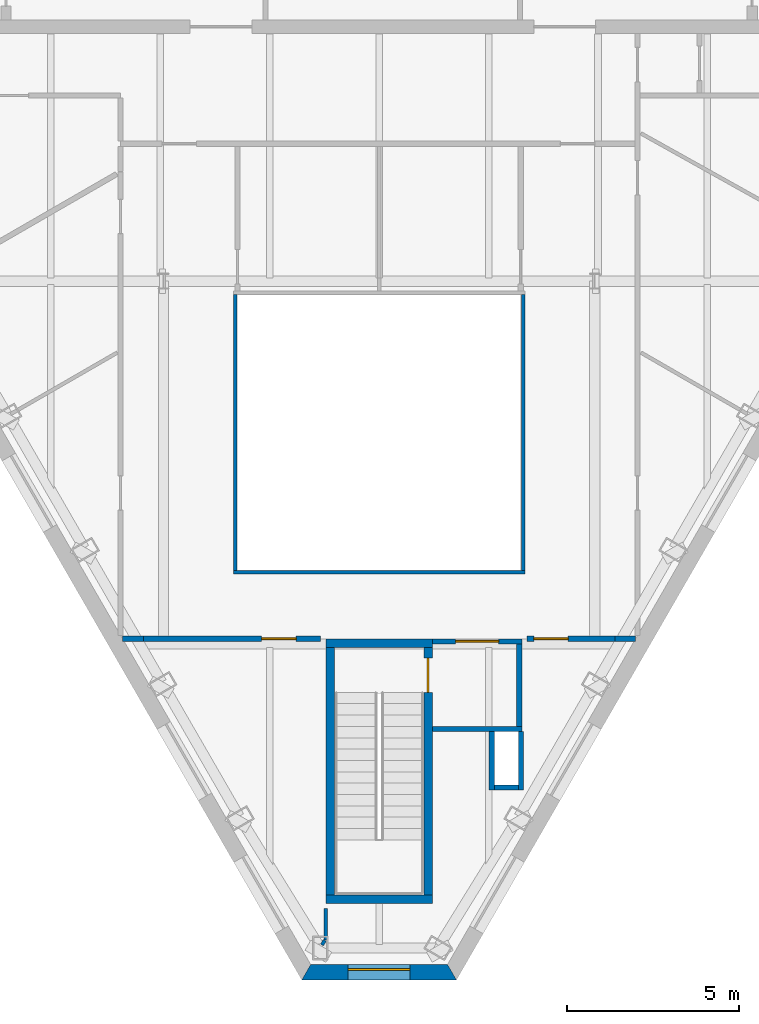
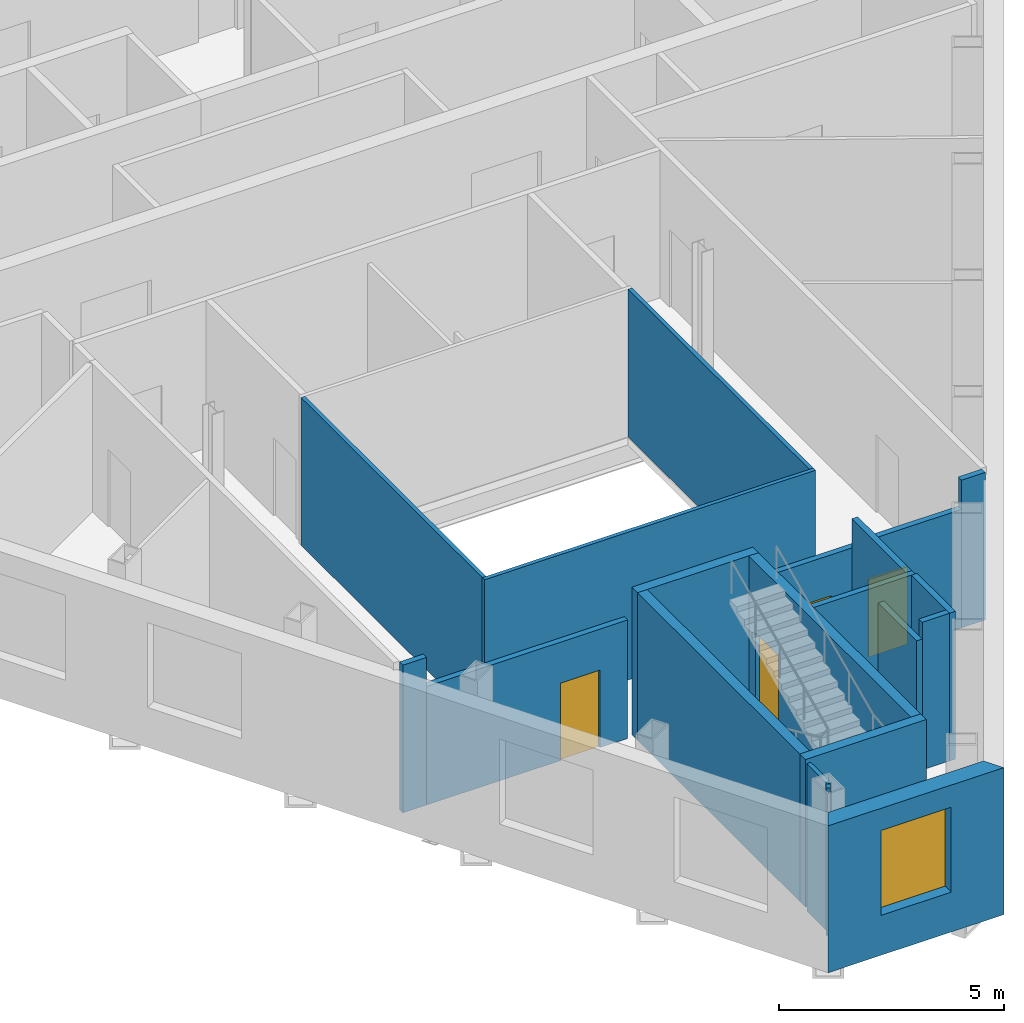
# One storey, part 4 of 11: 20 walls, 4 doors, 1 window, 5 openings.
"""IFC4 building model written with IfcOpenShell, lengths in metres."""

from ifc_helpers import new_model, si_unit, direction, frame, frame_2d, origin, place, context, subcontext, project, spatial, polyline, rectangle, outline, extrude, material, layer, layer_set, type_object, element, fill, save


model = new_model("IFC4")

# Units and contexts
model_context = context("Model", 3, precision=1e-05, world=origin(), true_north=direction((0.0, 1.0)))
body_context = subcontext(model_context, "Body", "Model", "MODEL_VIEW")
ifc_project = project(units=[si_unit("LENGTHUNIT", "METRE"), si_unit("AREAUNIT", "SQUARE_METRE"), si_unit("VOLUMEUNIT", "CUBIC_METRE"), si_unit("PLANEANGLEUNIT", "RADIAN"), si_unit("MASSUNIT", "GRAM", prefix="KILO")], contexts=[model_context])

# Site, building, storey
site_placement = place(None, origin())
site = spatial("IfcSite", under=ifc_project, at=site_placement, CompositionType="ELEMENT")
building_placement = place(site_placement, origin())
building = spatial("IfcBuilding", under=site, at=building_placement, Name="Njiva Tower", CompositionType="ELEMENT")
storey_placement = place(building_placement, frame((0.0, 0.0, 312.6)))
storey = spatial("IfcBuildingStorey", under=building, at=storey_placement, Name="L71", CompositionType="ELEMENT", Elevation=312.6)

# Walls
ifc_material_1 = material(Name="Gypsum board on steel studs", Category="gypsum")
ifc_layer_1 = layer(ifc_material_1, 0.1)
ifc_layer_set_1 = layer_set([ifc_layer_1], Name="Gypsum board on steel studs")
wall_type_1 = type_object("IfcWallType", Name="WT20 Gypsum partition 100", PredefinedType="PARTITIONING", material=ifc_layer_set_1)
wall_1_placement = place(storey_placement, frame((-1.661, -22.506, 0.0), z_axis=(0.0, 0.0, 1.0), x_axis=(0.501036270542, 0.865426285481, 0.0)))
element("IfcWall", 1, at=wall_1_placement, inside=storey, type_object=wall_type_1, Name="Partition S24-P015", PredefinedType="PARTITIONING", context=body_context, shape_type="SweptSolid", body=[
    extrude(rectangle(XDim=0.1537, YDim=0.1, at=frame_2d((0.0768, 0.0))), origin(), (0.0, 0.0, 1.0), 4.0),
])
wall_2_placement = place(storey_placement, frame((-1.55, -22.364, 0.0), z_axis=(0.0, 0.0, 1.0), x_axis=(0.0, 1.0, 0.0)))
element("IfcWall", 2, at=wall_2_placement, inside=storey, type_object=wall_type_1, Name="Partition S24-P016", PredefinedType="PARTITIONING", context=body_context, shape_type="SweptSolid", body=[
    extrude(rectangle(XDim=0.914, YDim=0.1, at=frame_2d((0.457, 0.0))), origin(), (0.0, 0.0, 1.0), 4.0),
])
ifc_layer_2 = layer(ifc_material_1, 0.15)
ifc_layer_set_2 = layer_set([ifc_layer_2], Name="Gypsum board on steel studs")
wall_type_2 = type_object("IfcWallType", Name="WT21 Compartment wall 150", PredefinedType="PARTITIONING", material=ifc_layer_set_2)
wall_3_placement = place(storey_placement, frame((-7.461, -13.6, 0.0), z_axis=(0.0, 0.0, 1.0), x_axis=(1.0, 0.0, 0.0)))
element("IfcWall", 3, at=wall_3_placement, inside=storey, type_object=wall_type_2, Name="Partition S24-P013", PredefinedType="PARTITIONING", context=body_context, shape_type="SweptSolid", body=[
    extrude(rectangle(XDim=0.606, YDim=0.15, at=frame_2d((0.303, 0.0))), origin(), (0.0, 0.0, 1.0), 4.0),
])

# Wall, opening, door
wall_4_placement = place(storey_placement, frame((-6.855, -13.6, 0.0), z_axis=(0.0, 0.0, 1.0), x_axis=(1.0, 0.0, 0.0)))
wall_4 = element("IfcWall", 4, at=wall_4_placement, inside=storey, type_object=wall_type_2, Name="Partition S24-P013A", PredefinedType="PARTITIONING", context=body_context, shape_type="SweptSolid", body=[
    extrude(rectangle(XDim=5.155, YDim=0.15, at=frame_2d((2.5775, 0.0))), origin(), (0.0, 0.0, 1.0), 3.21),
])
opening_1_placement = place(wall_4_placement, frame((3.439, 0.0, 0.0)))
opening_1 = element("IfcOpeningElement", 5, at=opening_1_placement, cuts=wall_4, Name="Opening S24-D009", PredefinedType="OPENING", context=body_context, shape_type="SweptSolid", body=[
    extrude(rectangle(XDim=1.0, YDim=2.1, at=frame_2d((0.5, 1.05))), frame((0.0, 0.085, 0.0), z_axis=(0.0, -1.0, 0.0), x_axis=(1.0, 0.0, 0.0)), (0.0, 0.0, 1.0), 0.17),
])
ifc_material_2 = material(Name="Steel fire door set", Category="steel")
door_type_1 = type_object("IfcDoorType", Name="D37 Fire door 1000x2100", OperationType="SINGLE_SWING_LEFT", PredefinedType="DOOR", material=ifc_material_2)
door_1_placement = place(opening_1_placement, origin())
door_1 = element("IfcDoor", 6, at=door_1_placement, inside=storey, type_object=door_type_1, Name="Door S24-D009", OperationType="SINGLE_SWING_RIGHT", OverallHeight=2.1, OverallWidth=1.0, PredefinedType="DOOR", context=body_context, shape_type="SweptSolid", body=[
    extrude(rectangle(XDim=1.0, YDim=2.1, at=frame_2d((0.5, 1.05))), frame((0.0, 0.025, 0.0), z_axis=(0.0, -1.0, 0.0), x_axis=(1.0, 0.0, 0.0)), (0.0, 0.0, 1.0), 0.05),
])
fill(opening_1, door_1)

wall_5_placement = place(storey_placement, frame((4.3, -13.6, 0.0), z_axis=(0.0, 0.0, 1.0), x_axis=(1.0, 0.0, 0.0)))
wall_5 = element("IfcWall", 7, at=wall_5_placement, inside=storey, type_object=wall_type_2, Name="Partition S24-P019", PredefinedType="PARTITIONING", context=body_context, shape_type="SweptSolid", body=[
    extrude(rectangle(XDim=2.555, YDim=0.15, at=frame_2d((1.2775, 0.0))), origin(), (0.0, 0.0, 1.0), 3.21),
])
opening_2_placement = place(wall_5_placement, frame((0.2, 0.0, 0.0)))
opening_2 = element("IfcOpeningElement", 8, at=opening_2_placement, cuts=wall_5, Name="Opening S24-D012", PredefinedType="OPENING", context=body_context, shape_type="SweptSolid", body=[
    extrude(rectangle(XDim=1.0, YDim=2.1, at=frame_2d((0.5, 1.05))), frame((0.0, 0.085, 0.0), z_axis=(0.0, -1.0, 0.0), x_axis=(1.0, 0.0, 0.0)), (0.0, 0.0, 1.0), 0.17),
])
door_2_placement = place(opening_2_placement, origin())
door_2 = element("IfcDoor", 9, at=door_2_placement, inside=storey, type_object=door_type_1, Name="Door S24-D012", OperationType="SINGLE_SWING_LEFT", OverallHeight=2.1, OverallWidth=1.0, PredefinedType="DOOR", context=body_context, shape_type="SweptSolid", body=[
    extrude(rectangle(XDim=1.0, YDim=2.1, at=frame_2d((0.5, 1.05))), frame((0.0, 0.025, 0.0), z_axis=(0.0, -1.0, 0.0), x_axis=(1.0, 0.0, 0.0)), (0.0, 0.0, 1.0), 0.05),
])
fill(opening_2, door_2)

# Walls
wall_6_placement = place(storey_placement, frame((6.855, -13.6, 0.0), z_axis=(0.0, 0.0, 1.0), x_axis=(1.0, 0.0, 0.0)))
element("IfcWall", 10, at=wall_6_placement, inside=storey, type_object=wall_type_2, Name="Partition S24-P019A", PredefinedType="PARTITIONING", context=body_context, shape_type="SweptSolid", body=[
    extrude(rectangle(XDim=0.606, YDim=0.15, at=frame_2d((0.303, 0.0))), origin(), (0.0, 0.0, 1.0), 4.0),
])
ifc_material_3 = material(Name="Blockwork", Category="masonry")
ifc_layer_3 = layer(ifc_material_3, 0.15)
ifc_layer_set_3 = layer_set([ifc_layer_3], Name="Blockwork")
wall_type_3 = type_object("IfcWallType", Name="WT4 Stair partition 150", PredefinedType="PARTITIONING", material=ifc_layer_set_3)
wall_7_placement = place(storey_placement, frame((1.55, -16.225, 0.0), z_axis=(0.0, 0.0, 1.0), x_axis=(1.0, 0.0, 0.0)))
element("IfcWall", 11, at=wall_7_placement, inside=storey, type_object=wall_type_3, Name="Stair C vestibule wall south", PredefinedType="PARTITIONING", context=body_context, shape_type="SweptSolid", body=[
    extrude(rectangle(XDim=2.6, YDim=0.15, at=frame_2d((1.3, 0.0))), origin(), (0.0, 0.0, 1.0), 4.0),
])
wall_8_placement = place(storey_placement, frame((4.075, -16.15, 0.0), z_axis=(0.0, 0.0, 1.0), x_axis=(0.0, 1.0, 0.0)))
element("IfcWall", 12, at=wall_8_placement, inside=storey, type_object=wall_type_3, Name="Stair C vestibule wall east", PredefinedType="PARTITIONING", context=body_context, shape_type="SweptSolid", body=[
    extrude(rectangle(XDim=2.4, YDim=0.15, at=frame_2d((1.2, 0.0))), origin(), (0.0, 0.0, 1.0), 4.0),
])

# Wall, opening, door
wall_9_placement = place(storey_placement, frame((1.55, -13.675, 0.0), z_axis=(0.0, 0.0, 1.0), x_axis=(1.0, 0.0, 0.0)))
wall_9 = element("IfcWall", 13, at=wall_9_placement, inside=storey, type_object=wall_type_3, Name="Stair C vestibule wall north", PredefinedType="PARTITIONING", context=body_context, shape_type="SweptSolid", body=[
    extrude(rectangle(XDim=2.6, YDim=0.15, at=frame_2d((1.3, 0.0))), origin(), (0.0, 0.0, 1.0), 3.21),
])
opening_3_placement = place(wall_9_placement, frame((0.675, 0.0, 0.0)))
opening_3 = element("IfcOpeningElement", 14, at=opening_3_placement, cuts=wall_9, Name="Opening S24-D928", PredefinedType="OPENING", context=body_context, shape_type="SweptSolid", body=[
    extrude(rectangle(XDim=1.25, YDim=2.1, at=frame_2d((0.625, 1.05))), frame((0.0, 0.085, 0.0), z_axis=(0.0, -1.0, 0.0), x_axis=(1.0, 0.0, 0.0)), (0.0, 0.0, 1.0), 0.17),
])
ifc_material_4 = material(Name="Glazed steel fire door", Category="steel")
door_type_2 = type_object("IfcDoorType", Name="D8 Vestibule corridor door 1250x2100 glazed", OperationType="SINGLE_SWING_LEFT", PredefinedType="DOOR", material=ifc_material_4)
door_3_placement = place(opening_3_placement, origin())
door_3 = element("IfcDoor", 15, at=door_3_placement, inside=storey, type_object=door_type_2, Name="Stair vestibule corridor door", OperationType="SINGLE_SWING_RIGHT", OverallHeight=2.1, OverallWidth=1.25, PredefinedType="DOOR", context=body_context, shape_type="SweptSolid", body=[
    extrude(rectangle(XDim=1.25, YDim=2.1, at=frame_2d((0.625, 1.05))), frame((0.0, 0.025, 0.0), z_axis=(0.0, -1.0, 0.0), x_axis=(1.0, 0.0, 0.0)), (0.0, 0.0, 1.0), 0.05),
])
fill(opening_3, door_3)

# Walls
wall_10_placement = place(storey_placement, frame((3.275, -18.0, 0.0), z_axis=(0.0, 0.0, 1.0), x_axis=(0.0, 1.0, 0.0)))
element("IfcWall", 16, at=wall_10_placement, inside=storey, type_object=wall_type_3, Name="Stair C pressurisation shaft wall", PredefinedType="PARTITIONING", context=body_context, shape_type="SweptSolid", body=[
    extrude(rectangle(XDim=1.7, YDim=0.15, at=frame_2d((0.85, 0.0))), origin(), (0.0, 0.0, 1.0), 3.55),
])
wall_11_placement = place(storey_placement, frame((3.35, -17.925, 0.0), z_axis=(0.0, 0.0, 1.0), x_axis=(1.0, 0.0, 0.0)))
element("IfcWall", 17, at=wall_11_placement, inside=storey, type_object=wall_type_3, Name="Stair C pressurisation shaft wall", PredefinedType="PARTITIONING", context=body_context, shape_type="SweptSolid", body=[
    extrude(rectangle(XDim=0.7, YDim=0.15, at=frame_2d((0.35, 0.0))), origin(), (0.0, 0.0, 1.0), 4.0),
])
wall_12_placement = place(storey_placement, frame((4.125, -18.0, 0.0), z_axis=(0.0, 0.0, 1.0), x_axis=(0.0, 1.0, 0.0)))
element("IfcWall", 18, at=wall_12_placement, inside=storey, type_object=wall_type_3, Name="Stair C pressurisation shaft wall", PredefinedType="PARTITIONING", context=body_context, shape_type="SweptSolid", body=[
    extrude(rectangle(XDim=1.7, YDim=0.15, at=frame_2d((0.85, 0.0))), origin(), (0.0, 0.0, 1.0), 4.0),
])
ifc_material_5 = material(Name="Concrete C40/50", Category="concrete")
ifc_layer_4 = layer(ifc_material_5, 0.25)
ifc_layer_set_4 = layer_set([ifc_layer_4], Name="Concrete C40/50")
wall_type_4 = type_object("IfcWallType", Name="WT9 Stair enclosure wall 250", PredefinedType="SHEAR", material=ifc_layer_set_4)
wall_13_placement = place(storey_placement, frame((-1.425, -21.05, 0.0), z_axis=(0.0, 0.0, 1.0), x_axis=(0.0, 1.0, 0.0)))
element("IfcWall", 19, at=wall_13_placement, inside=storey, type_object=wall_type_4, Name="Stair C wall west", PredefinedType="SHEAR", context=body_context, shape_type="SweptSolid", body=[
    extrude(rectangle(XDim=7.2, YDim=0.25, at=frame_2d((3.6, 0.0))), origin(), (0.0, 0.0, 1.0), 4.0),
])

# Wall, opening, door
wall_14_placement = place(storey_placement, frame((1.425, -21.05, 0.0), z_axis=(0.0, 0.0, 1.0), x_axis=(0.0, 1.0, 0.0)))
wall_14 = element("IfcWall", 20, at=wall_14_placement, inside=storey, type_object=wall_type_4, Name="Stair C wall east", PredefinedType="SHEAR", context=body_context, shape_type="SweptSolid", body=[
    extrude(rectangle(XDim=7.2, YDim=0.25, at=frame_2d((3.6, 0.0))), origin(), (0.0, 0.0, 1.0), 4.0),
])
opening_4_placement = place(wall_14_placement, frame((5.89, 0.0, 0.0)))
opening_4 = element("IfcOpeningElement", 21, at=opening_4_placement, cuts=wall_14, Name="Opening S24-D927", PredefinedType="OPENING", context=body_context, shape_type="SweptSolid", body=[
    extrude(rectangle(XDim=1.0, YDim=2.1, at=frame_2d((0.5, 1.05))), frame((0.0, 0.135, 0.0), z_axis=(0.0, -1.0, 0.0), x_axis=(1.0, 0.0, 0.0)), (0.0, 0.0, 1.0), 0.27),
])
door_type_3 = type_object("IfcDoorType", Name="D9 Stair vestibule door 1000x2100 glazed", OperationType="SINGLE_SWING_LEFT", PredefinedType="DOOR", material=ifc_material_4)
door_4_placement = place(opening_4_placement, origin())
door_4 = element("IfcDoor", 22, at=door_4_placement, inside=storey, type_object=door_type_3, Name="Stair C door", OperationType="SINGLE_SWING_LEFT", OverallHeight=2.1, OverallWidth=1.0, PredefinedType="DOOR", context=body_context, shape_type="SweptSolid", body=[
    extrude(rectangle(XDim=1.0, YDim=2.1, at=frame_2d((0.5, 1.05))), frame((0.0, 0.025, 0.0), z_axis=(0.0, -1.0, 0.0), x_axis=(1.0, 0.0, 0.0)), (0.0, 0.0, 1.0), 0.05),
])
fill(opening_4, door_4)

# Walls
for number, where, z_axis, x_axis, name in (
    (23, (-1.55, -21.175, 0.0), (0.0, 0.0, 1.0), (1.0, 0.0, 0.0), "Stair C wall south"),
    (24, (-1.55, -13.725, 0.0), (0.0, 0.0, 1.0), (1.0, 0.0, 0.0), "Stair C wall north"),
):
    element("IfcWall", number, at=place(storey_placement, frame(where, z_axis=z_axis, x_axis=x_axis)), inside=storey, type_object=wall_type_4, Name=name, PredefinedType="SHEAR", context=body_context, shape_type="SweptSolid", body=[
        extrude(rectangle(XDim=3.1, YDim=0.25, at=frame_2d((1.55, 0.0))), origin(), (0.0, 0.0, 1.0), 4.0),
    ])

# Wall, opening, window
ifc_material_6 = material(Name="Brick masonry, buff", Category="masonry")
ifc_layer_5 = layer(ifc_material_6, 0.45)
ifc_layer_set_5 = layer_set([ifc_layer_5], Name="Brick masonry, buff")
wall_type_5 = type_object("IfcWallType", Name="WT94 Brick pier and spandrel wall 450, buff", PredefinedType="SOLIDWALL", material=ifc_layer_set_5)
wall_15_placement = place(storey_placement, frame((-2.1201, -23.3006, -0.18), z_axis=(0.0, 0.0, 1.0), x_axis=(1.0, 0.0, 0.0)))
wall_15 = element("IfcWall", 25, at=wall_15_placement, inside=storey, type_object=wall_type_5, Name="Facade wall S", PredefinedType="SOLIDWALL", context=body_context, shape_type="SweptSolid", body=[
    extrude(outline(polyline([(-0.1299, -0.225), (4.3701, -0.225), (4.1103, 0.225), (0.1299, 0.225), (-0.1299, -0.225)])), origin(), (0.0, 0.0, 1.0), 3.98),
])
opening_5_placement = place(wall_15_placement, frame((1.2201, 0.0, 1.08)))
opening_5 = element("IfcOpeningElement", 26, at=opening_5_placement, cuts=wall_15, Name="Opening S24-W18", PredefinedType="OPENING", context=body_context, shape_type="SweptSolid", body=[
    extrude(rectangle(XDim=1.8, YDim=2.3, at=frame_2d((0.9, 1.15))), frame((0.0, 0.235, 0.0), z_axis=(0.0, -1.0, 0.0), x_axis=(1.0, 0.0, 0.0)), (0.0, 0.0, 1.0), 0.47),
])
ifc_material_7 = material(Name="Clear glazing in aluminium frame", Category="aluminium")
window_type = type_object("IfcWindowType", Name="W95 Deep-set window 1800x2300", PartitioningType="SINGLE_PANEL", PredefinedType="WINDOW", material=ifc_material_7)
window_placement = place(opening_5_placement, origin())
window = element("IfcWindow", 27, at=window_placement, inside=storey, type_object=window_type, Name="Window", OverallHeight=2.3, OverallWidth=1.8, PartitioningType="SINGLE_PANEL", PredefinedType="WINDOW", context=body_context, shape_type="SweptSolid", body=[
    extrude(rectangle(XDim=1.8, YDim=2.3, at=frame_2d((0.9, 1.15))), frame((0.0, 0.105, 0.0), z_axis=(0.0, -1.0, 0.0), x_axis=(1.0, 0.0, 0.0)), (0.0, 0.0, 1.0), 0.06),
])
fill(opening_5, window)

# Walls
ifc_material_8 = material(Name="Fire-resisting glazing EI 90", Category="glass")
ifc_layer_6 = layer(ifc_material_8, 0.1)
ifc_layer_set_6 = layer_set([ifc_layer_6], Name="Fire-resisting glazing EI 90")
wall_type_6 = type_object("IfcWallType", Name="WT95 Fire-resisting glazed screen EI 90", PredefinedType="PARTITIONING", material=ifc_layer_set_6)
wall_16_placement = place(storey_placement, frame((-4.24, -11.67, 0.0), z_axis=(0.0, 0.0, 1.0), x_axis=(1.0, 0.0, 0.0)))
element("IfcWall", 28, at=wall_16_placement, inside=storey, type_object=wall_type_6, Name="Atrium fire screen south", PredefinedType="PARTITIONING", context=body_context, shape_type="SweptSolid", body=[
    extrude(rectangle(XDim=8.48, YDim=0.1, at=frame_2d((4.24, 0.0))), origin(), (0.0, 0.0, 1.0), 4.0),
])
for number, where, z_axis, x_axis, name in (
    (29, (4.19, -11.62, 0.0), (0.0, 0.0, 1.0), (0.0, 1.0, 0.0), "Atrium fire screen east"),
    (30, (-4.19, -3.58, 0.0), (0.0, 0.0, 1.0), (0.0, -1.0, 0.0), "Atrium fire screen west"),
):
    element("IfcWall", number, at=place(storey_placement, frame(where, z_axis=z_axis, x_axis=x_axis)), inside=storey, type_object=wall_type_6, Name=name, PredefinedType="PARTITIONING", context=body_context, shape_type="SweptSolid", body=[
        extrude(rectangle(XDim=8.04, YDim=0.1, at=frame_2d((4.02, 0.0))), origin(), (0.0, 0.0, 1.0), 4.0),
    ])

save(model, "model.ifc")
